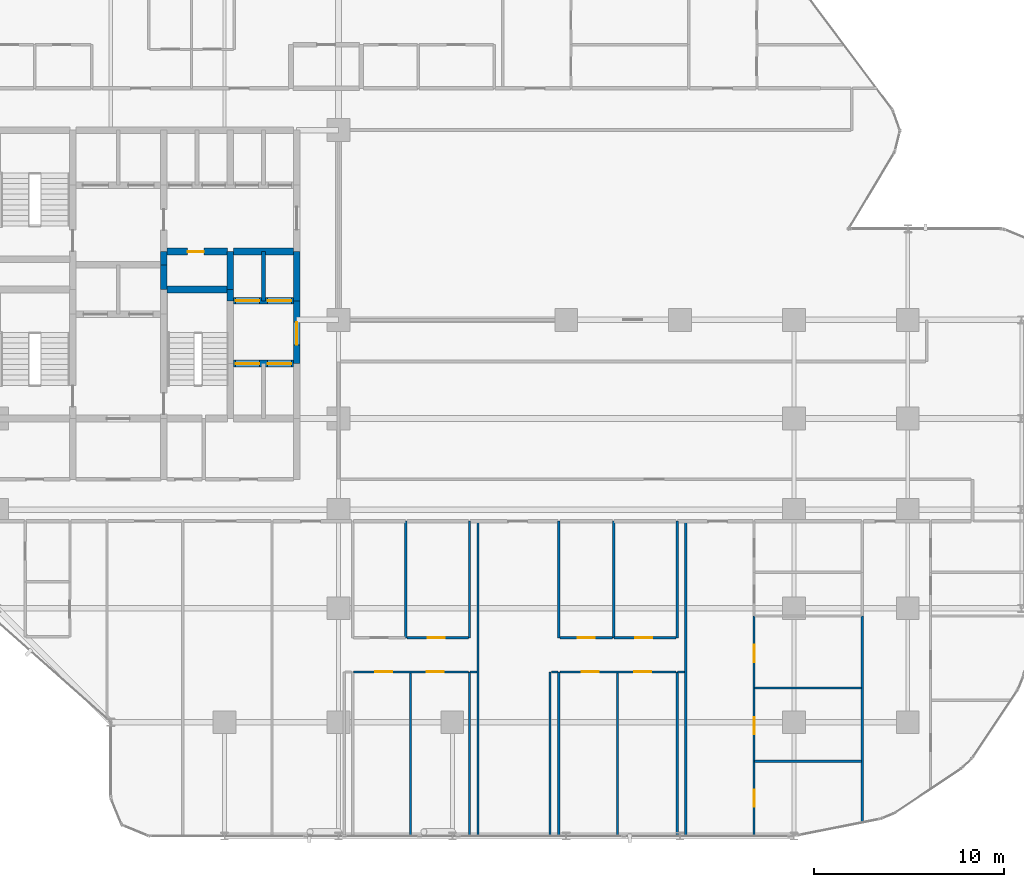
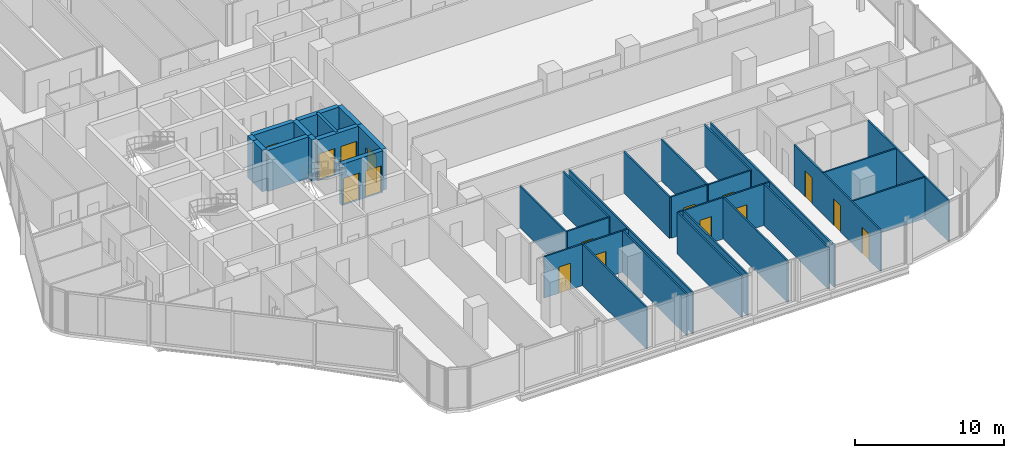
# One storey, part 28 of 34: 37 walls, 16 doors, 16 openings.
"""IFC4 building model written with IfcOpenShell, lengths in metres."""

from ifc_helpers import new_model, si_unit, direction, frame, frame_2d, origin, place, context, subcontext, project, spatial, rectangle, extrude, material, layer, layer_set, type_object, element, fill, save


model = new_model("IFC4")

# Units and contexts
model_context = context("Model", 3, precision=1e-05, world=origin(), true_north=direction((0.0, 1.0)))
body_context = subcontext(model_context, "Body", "Model", "MODEL_VIEW")
ifc_project = project(units=[si_unit("LENGTHUNIT", "METRE"), si_unit("AREAUNIT", "SQUARE_METRE"), si_unit("VOLUMEUNIT", "CUBIC_METRE"), si_unit("PLANEANGLEUNIT", "RADIAN"), si_unit("MASSUNIT", "GRAM", prefix="KILO")], contexts=[model_context])

# Site, building, storey
site_placement = place(None, origin())
site = spatial("IfcSite", under=ifc_project, at=site_placement, CompositionType="ELEMENT")
building_placement = place(site_placement, origin())
building = spatial("IfcBuilding", under=site, at=building_placement, Name="Keshet Zoharim Tower", CompositionType="ELEMENT")
storey_placement = place(building_placement, frame((0.0, 0.0, 70.10009765625)))
storey = spatial("IfcBuildingStorey", under=building, at=storey_placement, Name="L16", CompositionType="ELEMENT", Elevation=70.10009765625)

# Walls
ifc_material_1 = material(Name="Concrete C60/75", Category="concrete")
ifc_layer_1 = layer(ifc_material_1, 0.35009765625)
ifc_layer_set_1 = layer_set([ifc_layer_1], Name="Concrete C60/75")
wall_type_1 = type_object("IfcWallType", Name="WL-CORE-350", PredefinedType="SHEAR", material=ifc_layer_set_1)
wall_1_placement = place(storey_placement, frame((23.800048828125, 29.5, 0.0), z_axis=(0.0, 0.0, 1.0), x_axis=(0.0, 1.0, 0.0)))
element("IfcWall", 1, at=wall_1_placement, inside=storey, type_object=wall_type_1, Name="L16 Core Shear Wall 040", PredefinedType="SHEAR", context=body_context, shape_type="SweptSolid", body=[
    extrude(rectangle(XDim=1.300048828125, YDim=0.35009765625, at=frame_2d((0.64990234375, 0.0))), origin(), (0.0, 0.0, 1.0), 3.385009765625),
])
wall_2_placement = place(storey_placement, frame((23.800048828125, 30.800048828125, 0.0), z_axis=(0.0, 0.0, 1.0), x_axis=(0.0, 1.0, 0.0)))
element("IfcWall", 2, at=wall_2_placement, inside=storey, type_object=wall_type_1, Name="L16 Core Shear Wall 041", PredefinedType="SHEAR", context=body_context, shape_type="SweptSolid", body=[
    extrude(rectangle(XDim=0.699951171875, YDim=0.35009765625, at=frame_2d((0.35009765625, 0.0))), origin(), (0.0, 0.0, 1.0), 3.385009765625),
])
wall_3_placement = place(storey_placement, frame((27.300048828125, 28.89990234375, 0.0), z_axis=(0.0, 0.0, 1.0), x_axis=(0.0, 1.0, 0.0)))
element("IfcWall", 3, at=wall_3_placement, inside=storey, type_object=wall_type_1, Name="L16 Core Shear Wall 051", PredefinedType="SHEAR", context=body_context, shape_type="SweptSolid", body=[
    extrude(rectangle(XDim=0.60009765625, YDim=0.35009765625, at=frame_2d((0.300048828125, 0.0))), origin(), (0.0, 0.0, 1.0), 3.385009765625),
])
wall_4_placement = place(storey_placement, frame((27.300048828125, 29.5, 0.0), z_axis=(0.0, 0.0, 1.0), x_axis=(0.0, 1.0, 0.0)))
element("IfcWall", 4, at=wall_4_placement, inside=storey, type_object=wall_type_1, Name="L16 Core Shear Wall 052", PredefinedType="SHEAR", context=body_context, shape_type="SweptSolid", body=[
    extrude(rectangle(XDim=2.0, YDim=0.35009765625, at=frame_2d((1.0, 0.0))), origin(), (0.0, 0.0, 1.0), 3.385009765625),
])

# Wall, opening, door
wall_5_placement = place(storey_placement, frame((30.800048828125, 25.60009765625, 0.0), z_axis=(0.0, 0.0, 1.0), x_axis=(0.0, 1.0, 0.0)))
wall_5 = element("IfcWall", 5, at=wall_5_placement, inside=storey, type_object=wall_type_1, Name="L16 Core Shear Wall 064", PredefinedType="SHEAR", context=body_context, shape_type="SweptSolid", body=[
    extrude(rectangle(XDim=3.2998046875, YDim=0.35009765625, at=frame_2d((1.64990234375, 0.0))), origin(), (0.0, 0.0, 1.0), 3.385009765625),
])
opening_1_placement = place(wall_5_placement, frame((0.97802734375, 0.0, 0.0)))
opening_1 = element("IfcOpeningElement", 6, at=opening_1_placement, cuts=wall_5, Name="Opening D-F612", PredefinedType="OPENING", context=body_context, shape_type="SweptSolid", body=[
    extrude(rectangle(XDim=1.199951171875, YDim=2.199951171875, at=frame_2d((0.60009765625, 1.10009765625))), frame((0.0, 0.18505859375, 0.0), z_axis=(0.0, -1.0, 0.0), x_axis=(1.0, 0.0, 0.0)), (0.0, 0.0, 1.0), 0.3701171875),
])
ifc_material_2 = material(Name="Hardwood Timber", Category="wood")
door_type_1 = type_object("IfcDoorType", Name="DR-FD60-120", OperationType="NOTDEFINED", PredefinedType="DOOR", material=ifc_material_2)
door_1_placement = place(opening_1_placement, origin())
door_1 = element("IfcDoor", 7, at=door_1_placement, inside=storey, type_object=door_type_1, Name="L16 East Lift Lobby Fire Door", OperationType="SINGLE_SWING_RIGHT", OverallHeight=2.199951171875, OverallWidth=1.199951171875, PredefinedType="DOOR", context=body_context, shape_type="SweptSolid", body=[
    extrude(rectangle(XDim=1.199951171875, YDim=2.199951171875, at=frame_2d((0.60009765625, 1.10009765625))), frame((0.0, 0.02490234375, 0.0), z_axis=(0.0, -1.0, 0.0), x_axis=(1.0, 0.0, 0.0)), (0.0, 0.0, 1.0), 0.050048828125),
])
fill(opening_1, door_1)

# Wall
wall_6_placement = place(storey_placement, frame((30.800048828125, 28.89990234375, 0.0), z_axis=(0.0, 0.0, 1.0), x_axis=(0.0, 1.0, 0.0)))
element("IfcWall", 8, at=wall_6_placement, inside=storey, type_object=wall_type_1, Name="L16 Core Shear Wall 065", PredefinedType="SHEAR", context=body_context, shape_type="SweptSolid", body=[
    extrude(rectangle(XDim=2.60009765625, YDim=0.35009765625, at=frame_2d((1.300048828125, 0.0))), origin(), (0.0, 0.0, 1.0), 3.385009765625),
])

# Wall, openings, doors
wall_7_placement = place(storey_placement, frame((27.4599609375, 25.60009765625, 0.0), z_axis=(0.0, 0.0, 1.0), x_axis=(1.0, 0.0, 0.0)))
wall_7 = element("IfcWall", 9, at=wall_7_placement, inside=storey, type_object=wall_type_1, Name="L16 Core Shear Wall 165", PredefinedType="SHEAR", context=body_context, shape_type="SweptSolid", body=[
    extrude(rectangle(XDim=3.179931640625, YDim=0.35009765625, at=frame_2d((1.58984375, 0.0))), origin(), (0.0, 0.0, 1.0), 3.385009765625),
])
opening_2_placement = place(wall_7_placement, frame((0.1201171875, 0.0, 0.0)))
opening_2 = element("IfcOpeningElement", 10, at=opening_2_placement, cuts=wall_7, Name="Opening LD-01", PredefinedType="OPENING", context=body_context, shape_type="SweptSolid", body=[
    extrude(rectangle(XDim=1.25, YDim=2.199951171875, at=frame_2d((0.625, 1.10009765625))), frame((0.0, 0.18505859375, 0.0), z_axis=(0.0, -1.0, 0.0), x_axis=(1.0, 0.0, 0.0)), (0.0, 0.0, 1.0), 0.3701171875),
])
opening_3_placement = place(wall_7_placement, frame((1.81005859375, 0.0, 0.0)))
opening_3 = element("IfcOpeningElement", 11, at=opening_3_placement, cuts=wall_7, Name="Opening LD-01", PredefinedType="OPENING", context=body_context, shape_type="SweptSolid", body=[
    extrude(rectangle(XDim=1.25, YDim=2.199951171875, at=frame_2d((0.625, 1.10009765625))), frame((0.0, 0.18505859375, 0.0), z_axis=(0.0, -1.0, 0.0), x_axis=(1.0, 0.0, 0.0)), (0.0, 0.0, 1.0), 0.3701171875),
])
ifc_material_3 = material(Name="Steel S355", Category="steel")
door_type_2 = type_object("IfcDoorType", Name="DR-LD01-125", OperationType="DOUBLE_DOOR_SLIDING", PredefinedType="DOOR", material=ifc_material_3)
door_2_placement = place(opening_2_placement, origin())
door_2 = element("IfcDoor", 12, at=door_2_placement, inside=storey, type_object=door_type_2, Name="L16 Passenger Lift Landing Door LF-07", OperationType="DOUBLE_DOOR_SLIDING", OverallHeight=2.199951171875, OverallWidth=1.25, PredefinedType="DOOR", context=body_context, shape_type="SweptSolid", body=[
    extrude(rectangle(XDim=1.25, YDim=2.199951171875, at=frame_2d((0.625, 1.10009765625))), frame((0.0, 0.02490234375, 0.0), z_axis=(0.0, -1.0, 0.0), x_axis=(1.0, 0.0, 0.0)), (0.0, 0.0, 1.0), 0.050048828125),
])
fill(opening_2, door_2)
door_3_placement = place(opening_3_placement, origin())
door_3 = element("IfcDoor", 13, at=door_3_placement, inside=storey, type_object=door_type_2, Name="L16 Passenger Lift Landing Door LF-08", OperationType="DOUBLE_DOOR_SLIDING", OverallHeight=2.199951171875, OverallWidth=1.25, PredefinedType="DOOR", context=body_context, shape_type="SweptSolid", body=[
    extrude(rectangle(XDim=1.25, YDim=2.199951171875, at=frame_2d((0.625, 1.10009765625))), frame((0.0, 0.02490234375, 0.0), z_axis=(0.0, -1.0, 0.0), x_axis=(1.0, 0.0, 0.0)), (0.0, 0.0, 1.0), 0.050048828125),
])
fill(opening_3, door_3)

wall_8_placement = place(storey_placement, frame((27.4599609375, 28.89990234375, 0.0), z_axis=(0.0, 0.0, 1.0), x_axis=(1.0, 0.0, 0.0)))
wall_8 = element("IfcWall", 14, at=wall_8_placement, inside=storey, type_object=wall_type_1, Name="L16 Core Shear Wall 175", PredefinedType="SHEAR", context=body_context, shape_type="SweptSolid", body=[
    extrude(rectangle(XDim=3.179931640625, YDim=0.35009765625, at=frame_2d((1.58984375, 0.0))), origin(), (0.0, 0.0, 1.0), 3.385009765625),
])
opening_4_placement = place(wall_8_placement, frame((0.1201171875, 0.0, 0.0)))
opening_4 = element("IfcOpeningElement", 15, at=opening_4_placement, cuts=wall_8, Name="Opening LD-01", PredefinedType="OPENING", context=body_context, shape_type="SweptSolid", body=[
    extrude(rectangle(XDim=1.25, YDim=2.199951171875, at=frame_2d((0.625, 1.10009765625))), frame((0.0, 0.18505859375, 0.0), z_axis=(0.0, -1.0, 0.0), x_axis=(1.0, 0.0, 0.0)), (0.0, 0.0, 1.0), 0.3701171875),
])
opening_5_placement = place(wall_8_placement, frame((1.81005859375, 0.0, 0.0)))
opening_5 = element("IfcOpeningElement", 16, at=opening_5_placement, cuts=wall_8, Name="Opening LD-01", PredefinedType="OPENING", context=body_context, shape_type="SweptSolid", body=[
    extrude(rectangle(XDim=1.25, YDim=2.199951171875, at=frame_2d((0.625, 1.10009765625))), frame((0.0, 0.18505859375, 0.0), z_axis=(0.0, -1.0, 0.0), x_axis=(1.0, 0.0, 0.0)), (0.0, 0.0, 1.0), 0.3701171875),
])
door_4_placement = place(opening_4_placement, origin())
door_4 = element("IfcDoor", 17, at=door_4_placement, inside=storey, type_object=door_type_2, Name="L16 Passenger Lift Landing Door LF-05", OperationType="DOUBLE_DOOR_SLIDING", OverallHeight=2.199951171875, OverallWidth=1.25, PredefinedType="DOOR", context=body_context, shape_type="SweptSolid", body=[
    extrude(rectangle(XDim=1.25, YDim=2.199951171875, at=frame_2d((0.625, 1.10009765625))), frame((0.0, 0.02490234375, 0.0), z_axis=(0.0, -1.0, 0.0), x_axis=(1.0, 0.0, 0.0)), (0.0, 0.0, 1.0), 0.050048828125),
])
fill(opening_4, door_4)
door_5_placement = place(opening_5_placement, origin())
door_5 = element("IfcDoor", 18, at=door_5_placement, inside=storey, type_object=door_type_2, Name="L16 Passenger Lift Landing Door LF-06", OperationType="DOUBLE_DOOR_SLIDING", OverallHeight=2.199951171875, OverallWidth=1.25, PredefinedType="DOOR", context=body_context, shape_type="SweptSolid", body=[
    extrude(rectangle(XDim=1.25, YDim=2.199951171875, at=frame_2d((0.625, 1.10009765625))), frame((0.0, 0.02490234375, 0.0), z_axis=(0.0, -1.0, 0.0), x_axis=(1.0, 0.0, 0.0)), (0.0, 0.0, 1.0), 0.050048828125),
])
fill(opening_5, door_5)

# Wall
wall_9_placement = place(storey_placement, frame((23.9599609375, 29.5, 0.0), z_axis=(0.0, 0.0, 1.0), x_axis=(1.0, 0.0, 0.0)))
element("IfcWall", 19, at=wall_9_placement, inside=storey, type_object=wall_type_1, Name="L16 Core Shear Wall 177", PredefinedType="SHEAR", context=body_context, shape_type="SweptSolid", body=[
    extrude(rectangle(XDim=3.179931640625, YDim=0.35009765625, at=frame_2d((1.58984375, 0.0))), origin(), (0.0, 0.0, 1.0), 3.385009765625),
])

# Wall, opening, door
wall_10_placement = place(storey_placement, frame((23.9599609375, 31.5, 0.0), z_axis=(0.0, 0.0, 1.0), x_axis=(1.0, 0.0, 0.0)))
wall_10 = element("IfcWall", 20, at=wall_10_placement, inside=storey, type_object=wall_type_1, Name="L16 Core Shear Wall 182", PredefinedType="SHEAR", context=body_context, shape_type="SweptSolid", body=[
    extrude(rectangle(XDim=3.179931640625, YDim=0.35009765625, at=frame_2d((1.58984375, 0.0))), origin(), (0.0, 0.0, 1.0), 3.385009765625),
])
opening_6_placement = place(wall_10_placement, frame((1.093994140625, 0.0, 0.0)))
opening_6 = element("IfcOpeningElement", 21, at=opening_6_placement, cuts=wall_10, Name="Opening D-RS85", PredefinedType="OPENING", context=body_context, shape_type="SweptSolid", body=[
    extrude(rectangle(XDim=0.85009765625, YDim=2.10009765625, at=frame_2d((0.425048828125, 1.050048828125))), frame((0.0, 0.18505859375, 0.0), z_axis=(0.0, -1.0, 0.0), x_axis=(1.0, 0.0, 0.0)), (0.0, 0.0, 1.0), 0.3701171875),
])
door_type_3 = type_object("IfcDoorType", Name="DR-RIS-085", OperationType="NOTDEFINED", PredefinedType="DOOR", material=ifc_material_2)
door_6_placement = place(opening_6_placement, origin())
door_6 = element("IfcDoor", 22, at=door_6_placement, inside=storey, type_object=door_type_3, Name="L16 Telecom Riser Access Cupboard Door", OperationType="SINGLE_SWING_LEFT", OverallHeight=2.10009765625, OverallWidth=0.85009765625, PredefinedType="DOOR", context=body_context, shape_type="SweptSolid", body=[
    extrude(rectangle(XDim=0.85009765625, YDim=2.10009765625, at=frame_2d((0.425048828125, 1.050048828125))), frame((0.0, 0.02490234375, 0.0), z_axis=(0.0, -1.0, 0.0), x_axis=(1.0, 0.0, 0.0)), (0.0, 0.0, 1.0), 0.050048828125),
])
fill(opening_6, door_6)

# Walls
wall_11_placement = place(storey_placement, frame((27.4599609375, 31.5, 0.0), z_axis=(0.0, 0.0, 1.0), x_axis=(1.0, 0.0, 0.0)))
element("IfcWall", 23, at=wall_11_placement, inside=storey, type_object=wall_type_1, Name="L16 Core Shear Wall 183", PredefinedType="SHEAR", context=body_context, shape_type="SweptSolid", body=[
    extrude(rectangle(XDim=3.179931640625, YDim=0.35009765625, at=frame_2d((1.58984375, 0.0))), origin(), (0.0, 0.0, 1.0), 3.385009765625),
])
ifc_material_4 = material(Name="Concrete C50/60", Category="concrete")
ifc_layer_2 = layer(ifc_material_4, 0.199951171875)
ifc_layer_set_2 = layer_set([ifc_layer_2], Name="Concrete C50/60")
wall_type_2 = type_object("IfcWallType", Name="WL-FIRE-200", PredefinedType="STANDARD", material=ifc_layer_set_2)
wall_12_placement = place(storey_placement, frame((29.050048828125, 28.89990234375, 0.0), z_axis=(0.0, 0.0, 1.0), x_axis=(0.0, 1.0, 0.0)))
element("IfcWall", 24, at=wall_12_placement, inside=storey, type_object=wall_type_2, Name="L16 Interior Wall 056", PredefinedType="STANDARD", context=body_context, shape_type="SweptSolid", body=[
    extrude(rectangle(XDim=2.60009765625, YDim=0.199951171875, at=frame_2d((1.300048828125, 0.0))), origin(), (0.0, 0.0, 1.0), 3.385009765625),
])
ifc_material_5 = material(Name="Gypsum Plasterboard", Category="gypsum")
ifc_layer_3 = layer(ifc_material_5, 0.1201171875)
ifc_layer_set_3 = layer_set([ifc_layer_3], Name="Gypsum Plasterboard")
wall_type_3 = type_object("IfcWallType", Name="WL-PART-120", PredefinedType="PARTITIONING", material=ifc_layer_set_3)
for number, where, z_axis, x_axis, name in (
    (25, (36.800048828125, 0.7099609375, 0.0), (0.0, 0.0, 1.0), (0.0, 1.0, 0.0), "L16 Interior Wall 077"),
    (26, (39.89990234375, 0.7099609375, 0.0), (0.0, 0.0, 1.0), (0.0, 1.0, 0.0), "L16 Interior Wall 080"),
):
    element("IfcWall", number, at=place(storey_placement, frame(where, z_axis=z_axis, x_axis=x_axis)), inside=storey, type_object=wall_type_3, Name=name, PredefinedType="PARTITIONING", context=body_context, shape_type="SweptSolid", body=[
        extrude(rectangle(XDim=8.64013671875, YDim=0.1201171875, at=frame_2d((4.320068359375, 0.0))), origin(), (0.0, 0.0, 1.0), 3.385009765625),
    ])
wall_13_placement = place(storey_placement, frame((40.35009765625, 0.7099609375, 0.0), z_axis=(0.0, 0.0, 1.0), x_axis=(0.0, 1.0, 0.0)))
element("IfcWall", 27, at=wall_13_placement, inside=storey, type_object=wall_type_3, Name="L16 Interior Wall 082", PredefinedType="PARTITIONING", context=body_context, shape_type="SweptSolid", body=[
    extrude(rectangle(XDim=16.590087890625, YDim=0.1201171875, at=frame_2d((8.294921875, 0.0))), origin(), (0.0, 0.0, 1.0), 3.385009765625),
])
for number, where, z_axis, x_axis, name in (
    (28, (44.14990234375, 0.7099609375, 0.0), (0.0, 0.0, 1.0), (0.0, 1.0, 0.0), "L16 Interior Wall 086"),
    (29, (44.60009765625, 0.7099609375, 0.0), (0.0, 0.0, 1.0), (0.0, 1.0, 0.0), "L16 Interior Wall 087"),
):
    element("IfcWall", number, at=place(storey_placement, frame(where, z_axis=z_axis, x_axis=x_axis)), inside=storey, type_object=wall_type_3, Name=name, PredefinedType="PARTITIONING", context=body_context, shape_type="SweptSolid", body=[
        extrude(rectangle(XDim=8.64013671875, YDim=0.1201171875, at=frame_2d((4.320068359375, 0.0))), origin(), (0.0, 0.0, 1.0), 3.385009765625),
    ])
wall_14_placement = place(storey_placement, frame((44.60009765625, 11.14990234375, 0.0), z_axis=(0.0, 0.0, 1.0), x_axis=(0.0, 1.0, 0.0)))
element("IfcWall", 30, at=wall_14_placement, inside=storey, type_object=wall_type_3, Name="L16 Interior Wall 088", PredefinedType="PARTITIONING", context=body_context, shape_type="SweptSolid", body=[
    extrude(rectangle(XDim=6.150146484375, YDim=0.1201171875, at=frame_2d((3.0751953125, 0.0))), origin(), (0.0, 0.0, 1.0), 3.385009765625),
])
for number, where, z_axis, x_axis, name in (
    (31, (47.699951171875, 0.7099609375, 0.0), (0.0, 0.0, 1.0), (0.0, 1.0, 0.0), "L16 Interior Wall 093"),
    (32, (50.85009765625, 0.7099609375, 0.0), (0.0, 0.0, 1.0), (0.0, 1.0, 0.0), "L16 Interior Wall 094"),
):
    element("IfcWall", number, at=place(storey_placement, frame(where, z_axis=z_axis, x_axis=x_axis)), inside=storey, type_object=wall_type_3, Name=name, PredefinedType="PARTITIONING", context=body_context, shape_type="SweptSolid", body=[
        extrude(rectangle(XDim=8.64013671875, YDim=0.1201171875, at=frame_2d((4.320068359375, 0.0))), origin(), (0.0, 0.0, 1.0), 3.385009765625),
    ])
wall_15_placement = place(storey_placement, frame((51.300048828125, 0.7099609375, 0.0), z_axis=(0.0, 0.0, 1.0), x_axis=(0.0, 1.0, 0.0)))
element("IfcWall", 33, at=wall_15_placement, inside=storey, type_object=wall_type_3, Name="L16 Interior Wall 096", PredefinedType="PARTITIONING", context=body_context, shape_type="SweptSolid", body=[
    extrude(rectangle(XDim=16.590087890625, YDim=0.1201171875, at=frame_2d((8.294921875, 0.0))), origin(), (0.0, 0.0, 1.0), 3.385009765625),
])

# Wall, openings, doors
wall_16_placement = place(storey_placement, frame((54.89990234375, 0.7099609375, 0.0), z_axis=(0.0, 0.0, 1.0), x_axis=(0.0, 1.0, 0.0)))
wall_16 = element("IfcWall", 34, at=wall_16_placement, inside=storey, type_object=wall_type_3, Name="L16 Interior Wall 100", PredefinedType="PARTITIONING", context=body_context, shape_type="SweptSolid", body=[
    extrude(rectangle(XDim=11.590087890625, YDim=0.1201171875, at=frame_2d((5.794921875, 0.0))), origin(), (0.0, 0.0, 1.0), 3.385009765625),
])
opening_7_placement = place(wall_16_placement, frame((1.534912109375, 0.0, 0.0)))
opening_7 = element("IfcOpeningElement", 35, at=opening_7_placement, cuts=wall_16, Name="Opening D-IN90", PredefinedType="OPENING", context=body_context, shape_type="SweptSolid", body=[
    extrude(rectangle(XDim=0.89990234375, YDim=2.14990234375, at=frame_2d((0.449951171875, 1.074951171875))), frame((0.0, 0.070068359375, 0.0), z_axis=(0.0, -1.0, 0.0), x_axis=(1.0, 0.0, 0.0)), (0.0, 0.0, 1.0), 0.14013671875),
])
opening_8_placement = place(wall_16_placement, frame((5.34912109375, 0.0, 0.0)))
opening_8 = element("IfcOpeningElement", 36, at=opening_8_placement, cuts=wall_16, Name="Opening D-IN90", PredefinedType="OPENING", context=body_context, shape_type="SweptSolid", body=[
    extrude(rectangle(XDim=0.89990234375, YDim=2.14990234375, at=frame_2d((0.449951171875, 1.074951171875))), frame((0.0, 0.070068359375, 0.0), z_axis=(0.0, -1.0, 0.0), x_axis=(1.0, 0.0, 0.0)), (0.0, 0.0, 1.0), 0.14013671875),
])
opening_9_placement = place(wall_16_placement, frame((9.158935546875, 0.0, 0.0)))
opening_9 = element("IfcOpeningElement", 37, at=opening_9_placement, cuts=wall_16, Name="Opening D-IN90", PredefinedType="OPENING", context=body_context, shape_type="SweptSolid", body=[
    extrude(rectangle(XDim=0.89990234375, YDim=2.14990234375, at=frame_2d((0.449951171875, 1.074951171875))), frame((0.0, 0.070068359375, 0.0), z_axis=(0.0, -1.0, 0.0), x_axis=(1.0, 0.0, 0.0)), (0.0, 0.0, 1.0), 0.14013671875),
])
door_type_4 = type_object("IfcDoorType", Name="DR-INT-090", OperationType="NOTDEFINED", PredefinedType="DOOR", material=ifc_material_2)
door_7_placement = place(opening_7_placement, origin())
door_7 = element("IfcDoor", 38, at=door_7_placement, inside=storey, type_object=door_type_4, Name="Apartment 1604 Bedroom 1 Door", OperationType="SINGLE_SWING_RIGHT", OverallHeight=2.14990234375, OverallWidth=0.89990234375, PredefinedType="DOOR", context=body_context, shape_type="SweptSolid", body=[
    extrude(rectangle(XDim=0.89990234375, YDim=2.14990234375, at=frame_2d((0.449951171875, 1.074951171875))), frame((0.0, 0.02490234375, 0.0), z_axis=(0.0, -1.0, 0.0), x_axis=(1.0, 0.0, 0.0)), (0.0, 0.0, 1.0), 0.050048828125),
])
fill(opening_7, door_7)
door_8_placement = place(opening_8_placement, origin())
door_8 = element("IfcDoor", 39, at=door_8_placement, inside=storey, type_object=door_type_4, Name="Apartment 1604 Bedroom 2 Door", OperationType="SINGLE_SWING_LEFT", OverallHeight=2.14990234375, OverallWidth=0.89990234375, PredefinedType="DOOR", context=body_context, shape_type="SweptSolid", body=[
    extrude(rectangle(XDim=0.89990234375, YDim=2.14990234375, at=frame_2d((0.449951171875, 1.074951171875))), frame((0.0, 0.02490234375, 0.0), z_axis=(0.0, -1.0, 0.0), x_axis=(1.0, 0.0, 0.0)), (0.0, 0.0, 1.0), 0.050048828125),
])
fill(opening_8, door_8)
door_9_placement = place(opening_9_placement, origin())
door_9 = element("IfcDoor", 40, at=door_9_placement, inside=storey, type_object=door_type_4, Name="Apartment 1604 Bedroom 3 Door", OperationType="SINGLE_SWING_RIGHT", OverallHeight=2.14990234375, OverallWidth=0.89990234375, PredefinedType="DOOR", context=body_context, shape_type="SweptSolid", body=[
    extrude(rectangle(XDim=0.89990234375, YDim=2.14990234375, at=frame_2d((0.449951171875, 1.074951171875))), frame((0.0, 0.02490234375, 0.0), z_axis=(0.0, -1.0, 0.0), x_axis=(1.0, 0.0, 0.0)), (0.0, 0.0, 1.0), 0.050048828125),
])
fill(opening_9, door_9)

# Walls
wall_17_placement = place(storey_placement, frame((60.60009765625, 1.426025390625, 0.0), z_axis=(0.0, 0.0, 1.0), x_axis=(0.0, 1.0, 0.0)))
element("IfcWall", 41, at=wall_17_placement, inside=storey, type_object=wall_type_3, Name="L16 Interior Wall 106", PredefinedType="PARTITIONING", context=body_context, shape_type="SweptSolid", body=[
    extrude(rectangle(XDim=10.8740234375, YDim=0.1201171875, at=frame_2d((5.43701171875, 0.0))), origin(), (0.0, 0.0, 1.0), 3.385009765625),
])
for number, where, z_axis, x_axis, name in (
    (42, (54.925048828125, 4.64990234375, 0.0), (0.0, 0.0, 1.0), (1.0, 0.0, 0.0), "L16 Interior Wall 114"),
    (43, (54.925048828125, 8.5, 0.0), (0.0, 0.0, 1.0), (1.0, 0.0, 0.0), "L16 Interior Wall 116"),
):
    element("IfcWall", number, at=place(storey_placement, frame(where, z_axis=z_axis, x_axis=x_axis)), inside=storey, type_object=wall_type_3, Name=name, PredefinedType="PARTITIONING", context=body_context, shape_type="SweptSolid", body=[
        extrude(rectangle(XDim=5.639892578125, YDim=0.1201171875, at=frame_2d((2.81982421875, 0.0))), origin(), (0.0, 0.0, 1.0), 3.385009765625),
    ])

# Wall, openings, doors
wall_18_placement = place(storey_placement, frame((33.784912109375, 9.35009765625, 0.0), z_axis=(0.0, 0.0, 1.0), x_axis=(1.0, 0.0, 0.0)))
wall_18 = element("IfcWall", 44, at=wall_18_placement, inside=storey, type_object=wall_type_3, Name="L16 Interior Wall 118", PredefinedType="PARTITIONING", context=body_context, shape_type="SweptSolid", body=[
    extrude(rectangle(XDim=6.06005859375, YDim=0.1201171875, at=frame_2d((3.030029296875, 0.0))), origin(), (0.0, 0.0, 1.0), 3.385009765625),
])
opening_10_placement = place(wall_18_placement, frame((1.14404296875, 0.0, 0.0)))
opening_10 = element("IfcOpeningElement", 45, at=opening_10_placement, cuts=wall_18, Name="Opening D-IN90", PredefinedType="OPENING", context=body_context, shape_type="SweptSolid", body=[
    extrude(rectangle(XDim=0.89990234375, YDim=2.14990234375, at=frame_2d((0.449951171875, 1.074951171875))), frame((0.0, 0.070068359375, 0.0), z_axis=(0.0, -1.0, 0.0), x_axis=(1.0, 0.0, 0.0)), (0.0, 0.0, 1.0), 0.14013671875),
])
opening_11_placement = place(wall_18_placement, frame((3.868896484375, 0.0, 0.0)))
opening_11 = element("IfcOpeningElement", 46, at=opening_11_placement, cuts=wall_18, Name="Opening D-IN90", PredefinedType="OPENING", context=body_context, shape_type="SweptSolid", body=[
    extrude(rectangle(XDim=0.89990234375, YDim=2.14990234375, at=frame_2d((0.449951171875, 1.074951171875))), frame((0.0, 0.070068359375, 0.0), z_axis=(0.0, -1.0, 0.0), x_axis=(1.0, 0.0, 0.0)), (0.0, 0.0, 1.0), 0.14013671875),
])
door_10_placement = place(opening_10_placement, origin())
door_10 = element("IfcDoor", 47, at=door_10_placement, inside=storey, type_object=door_type_4, Name="Apartment 1602 Bedroom 1 Door", OperationType="SINGLE_SWING_LEFT", OverallHeight=2.14990234375, OverallWidth=0.89990234375, PredefinedType="DOOR", context=body_context, shape_type="SweptSolid", body=[
    extrude(rectangle(XDim=0.89990234375, YDim=2.14990234375, at=frame_2d((0.449951171875, 1.074951171875))), frame((0.0, 0.02490234375, 0.0), z_axis=(0.0, -1.0, 0.0), x_axis=(1.0, 0.0, 0.0)), (0.0, 0.0, 1.0), 0.050048828125),
])
fill(opening_10, door_10)
door_11_placement = place(opening_11_placement, origin())
door_11 = element("IfcDoor", 48, at=door_11_placement, inside=storey, type_object=door_type_4, Name="Apartment 1602 Bedroom 2 Door", OperationType="SINGLE_SWING_RIGHT", OverallHeight=2.14990234375, OverallWidth=0.89990234375, PredefinedType="DOOR", context=body_context, shape_type="SweptSolid", body=[
    extrude(rectangle(XDim=0.89990234375, YDim=2.14990234375, at=frame_2d((0.449951171875, 1.074951171875))), frame((0.0, 0.02490234375, 0.0), z_axis=(0.0, -1.0, 0.0), x_axis=(1.0, 0.0, 0.0)), (0.0, 0.0, 1.0), 0.050048828125),
])
fill(opening_11, door_11)

# Walls
for number, where, z_axis, x_axis, name in (
    (49, (39.93505859375, 9.35009765625, 0.0), (0.0, 0.0, 1.0), (1.0, 0.0, 0.0), "L16 Interior Wall 119"),
    (50, (44.215087890625, 9.35009765625, 0.0), (0.0, 0.0, 1.0), (1.0, 0.0, 0.0), "L16 Interior Wall 120"),
):
    element("IfcWall", number, at=place(storey_placement, frame(where, z_axis=z_axis, x_axis=x_axis)), inside=storey, type_object=wall_type_3, Name=name, PredefinedType="PARTITIONING", context=body_context, shape_type="SweptSolid", body=[
        extrude(rectangle(XDim=0.35986328125, YDim=0.1201171875, at=frame_2d((0.179931640625, 0.0))), origin(), (0.0, 0.0, 1.0), 3.385009765625),
    ])

# Wall, openings, doors
wall_19_placement = place(storey_placement, frame((44.6650390625, 9.35009765625, 0.0), z_axis=(0.0, 0.0, 1.0), x_axis=(1.0, 0.0, 0.0)))
wall_19 = element("IfcWall", 51, at=wall_19_placement, inside=storey, type_object=wall_type_3, Name="L16 Interior Wall 121", PredefinedType="PARTITIONING", context=body_context, shape_type="SweptSolid", body=[
    extrude(rectangle(XDim=6.119873046875, YDim=0.1201171875, at=frame_2d((3.06005859375, 0.0))), origin(), (0.0, 0.0, 1.0), 3.385009765625),
])
opening_12_placement = place(wall_19_placement, frame((1.157958984375, 0.0, 0.0)))
opening_12 = element("IfcOpeningElement", 52, at=opening_12_placement, cuts=wall_19, Name="Opening D-IN90", PredefinedType="OPENING", context=body_context, shape_type="SweptSolid", body=[
    extrude(rectangle(XDim=0.89990234375, YDim=2.14990234375, at=frame_2d((0.449951171875, 1.074951171875))), frame((0.0, 0.070068359375, 0.0), z_axis=(0.0, -1.0, 0.0), x_axis=(1.0, 0.0, 0.0)), (0.0, 0.0, 1.0), 0.14013671875),
])
opening_13_placement = place(wall_19_placement, frame((3.9130859375, 0.0, 0.0)))
opening_13 = element("IfcOpeningElement", 53, at=opening_13_placement, cuts=wall_19, Name="Opening D-IN90", PredefinedType="OPENING", context=body_context, shape_type="SweptSolid", body=[
    extrude(rectangle(XDim=0.89990234375, YDim=2.14990234375, at=frame_2d((0.449951171875, 1.074951171875))), frame((0.0, 0.070068359375, 0.0), z_axis=(0.0, -1.0, 0.0), x_axis=(1.0, 0.0, 0.0)), (0.0, 0.0, 1.0), 0.14013671875),
])
door_12_placement = place(opening_12_placement, origin())
door_12 = element("IfcDoor", 54, at=door_12_placement, inside=storey, type_object=door_type_4, Name="Apartment 1603 Bedroom 1 Door", OperationType="SINGLE_SWING_LEFT", OverallHeight=2.14990234375, OverallWidth=0.89990234375, PredefinedType="DOOR", context=body_context, shape_type="SweptSolid", body=[
    extrude(rectangle(XDim=0.89990234375, YDim=2.14990234375, at=frame_2d((0.449951171875, 1.074951171875))), frame((0.0, 0.02490234375, 0.0), z_axis=(0.0, -1.0, 0.0), x_axis=(1.0, 0.0, 0.0)), (0.0, 0.0, 1.0), 0.050048828125),
])
fill(opening_12, door_12)
door_13_placement = place(opening_13_placement, origin())
door_13 = element("IfcDoor", 55, at=door_13_placement, inside=storey, type_object=door_type_4, Name="Apartment 1603 Bedroom 2 Door", OperationType="SINGLE_SWING_RIGHT", OverallHeight=2.14990234375, OverallWidth=0.89990234375, PredefinedType="DOOR", context=body_context, shape_type="SweptSolid", body=[
    extrude(rectangle(XDim=0.89990234375, YDim=2.14990234375, at=frame_2d((0.449951171875, 1.074951171875))), frame((0.0, 0.02490234375, 0.0), z_axis=(0.0, -1.0, 0.0), x_axis=(1.0, 0.0, 0.0)), (0.0, 0.0, 1.0), 0.050048828125),
])
fill(opening_13, door_13)

# Wall
wall_20_placement = place(storey_placement, frame((50.875, 9.35009765625, 0.0), z_axis=(0.0, 0.0, 1.0), x_axis=(1.0, 0.0, 0.0)))
element("IfcWall", 56, at=wall_20_placement, inside=storey, type_object=wall_type_3, Name="L16 Interior Wall 122", PredefinedType="PARTITIONING", context=body_context, shape_type="SweptSolid", body=[
    extrude(rectangle(XDim=0.360107421875, YDim=0.1201171875, at=frame_2d((0.18017578125, 0.0))), origin(), (0.0, 0.0, 1.0), 3.385009765625),
])

# Wall, opening, door
wall_21_placement = place(storey_placement, frame((44.6650390625, 11.14990234375, 0.0), z_axis=(0.0, 0.0, 1.0), x_axis=(1.0, 0.0, 0.0)))
wall_21 = element("IfcWall", 57, at=wall_21_placement, inside=storey, type_object=wall_type_3, Name="L16 Interior Wall 125", PredefinedType="PARTITIONING", context=body_context, shape_type="SweptSolid", body=[
    extrude(rectangle(XDim=2.766845703125, YDim=0.1201171875, at=frame_2d((1.38330078125, 0.0))), origin(), (0.0, 0.0, 1.0), 3.385009765625),
])
opening_14_placement = place(wall_21_placement, frame((0.93310546875, 0.0, 0.0)))
opening_14 = element("IfcOpeningElement", 58, at=opening_14_placement, cuts=wall_21, Name="Opening D-IN90", PredefinedType="OPENING", context=body_context, shape_type="SweptSolid", body=[
    extrude(rectangle(XDim=0.89990234375, YDim=2.14990234375, at=frame_2d((0.449951171875, 1.074951171875))), frame((0.0, 0.070068359375, 0.0), z_axis=(0.0, -1.0, 0.0), x_axis=(1.0, 0.0, 0.0)), (0.0, 0.0, 1.0), 0.14013671875),
])
door_14_placement = place(opening_14_placement, origin())
door_14 = element("IfcDoor", 59, at=door_14_placement, inside=storey, type_object=door_type_4, Name="Apartment 1603 Kitchen Door", OperationType="SINGLE_SWING_LEFT", OverallHeight=2.14990234375, OverallWidth=0.89990234375, PredefinedType="DOOR", context=body_context, shape_type="SweptSolid", body=[
    extrude(rectangle(XDim=0.89990234375, YDim=2.14990234375, at=frame_2d((0.449951171875, 1.074951171875))), frame((0.0, 0.02490234375, 0.0), z_axis=(0.0, -1.0, 0.0), x_axis=(1.0, 0.0, 0.0)), (0.0, 0.0, 1.0), 0.050048828125),
])
fill(opening_14, door_14)

# Walls
ifc_layer_4 = layer(ifc_material_5, 0.1201171875)
ifc_layer_set_4 = layer_set([ifc_layer_4], Name="Gypsum Plasterboard")
wall_type_4 = type_object("IfcWallType", Name="WL-WET-120", PredefinedType="PARTITIONING", material=ifc_layer_set_4)
for number, where, z_axis, x_axis, name in (
    (60, (36.550048828125, 11.14990234375, 0.0), (0.0, 0.0, 1.0), (0.0, 1.0, 0.0), "L16 Interior Wall 076"),
    (61, (39.89990234375, 11.14990234375, 0.0), (0.0, 0.0, 1.0), (0.0, 1.0, 0.0), "L16 Interior Wall 081"),
    (62, (47.5, 11.14990234375, 0.0), (0.0, 0.0, 1.0), (0.0, 1.0, 0.0), "L16 Interior Wall 092"),
    (63, (50.85009765625, 11.14990234375, 0.0), (0.0, 0.0, 1.0), (0.0, 1.0, 0.0), "L16 Interior Wall 095"),
):
    element("IfcWall", number, at=place(storey_placement, frame(where, z_axis=z_axis, x_axis=x_axis)), inside=storey, type_object=wall_type_4, Name=name, PredefinedType="PARTITIONING", context=body_context, shape_type="SweptSolid", body=[
        extrude(rectangle(XDim=6.150146484375, YDim=0.1201171875, at=frame_2d((3.0751953125, 0.0))), origin(), (0.0, 0.0, 1.0), 3.385009765625),
    ])

# Wall, opening, door
wall_22_placement = place(storey_placement, frame((36.614013671875, 11.14990234375, 0.0), z_axis=(0.0, 0.0, 1.0), x_axis=(1.0, 0.0, 0.0)))
wall_22 = element("IfcWall", 64, at=wall_22_placement, inside=storey, type_object=wall_type_4, Name="L16 Interior Wall 124", PredefinedType="PARTITIONING", context=body_context, shape_type="SweptSolid", body=[
    extrude(rectangle(XDim=3.23095703125, YDim=0.1201171875, at=frame_2d((1.615478515625, 0.0))), origin(), (0.0, 0.0, 1.0), 3.385009765625),
])
opening_15_placement = place(wall_22_placement, frame((1.092041015625, 0.0, 0.0)))
opening_15 = element("IfcOpeningElement", 65, at=opening_15_placement, cuts=wall_22, Name="Opening D-WT90", PredefinedType="OPENING", context=body_context, shape_type="SweptSolid", body=[
    extrude(rectangle(XDim=0.89990234375, YDim=2.10009765625, at=frame_2d((0.449951171875, 1.050048828125))), frame((0.0, 0.070068359375, 0.0), z_axis=(0.0, -1.0, 0.0), x_axis=(1.0, 0.0, 0.0)), (0.0, 0.0, 1.0), 0.14013671875),
])
door_type_5 = type_object("IfcDoorType", Name="DR-WET-090", OperationType="NOTDEFINED", PredefinedType="DOOR", material=ifc_material_2)
door_15_placement = place(opening_15_placement, origin())
door_15 = element("IfcDoor", 66, at=door_15_placement, inside=storey, type_object=door_type_5, Name="Apartment 1602 Bathroom Door", OperationType="SINGLE_SWING_RIGHT", OverallHeight=2.10009765625, OverallWidth=0.89990234375, PredefinedType="DOOR", context=body_context, shape_type="SweptSolid", body=[
    extrude(rectangle(XDim=0.89990234375, YDim=2.10009765625, at=frame_2d((0.449951171875, 1.050048828125))), frame((0.0, 0.02490234375, 0.0), z_axis=(0.0, -1.0, 0.0), x_axis=(1.0, 0.0, 0.0)), (0.0, 0.0, 1.0), 0.050048828125),
])
fill(opening_15, door_15)

wall_23_placement = place(storey_placement, frame((47.52197265625, 11.14990234375, 0.0), z_axis=(0.0, 0.0, 1.0), x_axis=(1.0, 0.0, 0.0)))
wall_23 = element("IfcWall", 67, at=wall_23_placement, inside=storey, type_object=wall_type_4, Name="L16 Interior Wall 126", PredefinedType="PARTITIONING", context=body_context, shape_type="SweptSolid", body=[
    extrude(rectangle(XDim=3.262939453125, YDim=0.1201171875, at=frame_2d((1.63134765625, 0.0))), origin(), (0.0, 0.0, 1.0), 3.385009765625),
])
opening_16_placement = place(wall_23_placement, frame((1.10693359375, 0.0, 0.0)))
opening_16 = element("IfcOpeningElement", 68, at=opening_16_placement, cuts=wall_23, Name="Opening D-WT90", PredefinedType="OPENING", context=body_context, shape_type="SweptSolid", body=[
    extrude(rectangle(XDim=0.89990234375, YDim=2.10009765625, at=frame_2d((0.449951171875, 1.050048828125))), frame((0.0, 0.070068359375, 0.0), z_axis=(0.0, -1.0, 0.0), x_axis=(1.0, 0.0, 0.0)), (0.0, 0.0, 1.0), 0.14013671875),
])
door_16_placement = place(opening_16_placement, origin())
door_16 = element("IfcDoor", 69, at=door_16_placement, inside=storey, type_object=door_type_5, Name="Apartment 1603 Bathroom Door", OperationType="SINGLE_SWING_RIGHT", OverallHeight=2.10009765625, OverallWidth=0.89990234375, PredefinedType="DOOR", context=body_context, shape_type="SweptSolid", body=[
    extrude(rectangle(XDim=0.89990234375, YDim=2.10009765625, at=frame_2d((0.449951171875, 1.050048828125))), frame((0.0, 0.02490234375, 0.0), z_axis=(0.0, -1.0, 0.0), x_axis=(1.0, 0.0, 0.0)), (0.0, 0.0, 1.0), 0.050048828125),
])
fill(opening_16, door_16)

save(model, "model.ifc")
